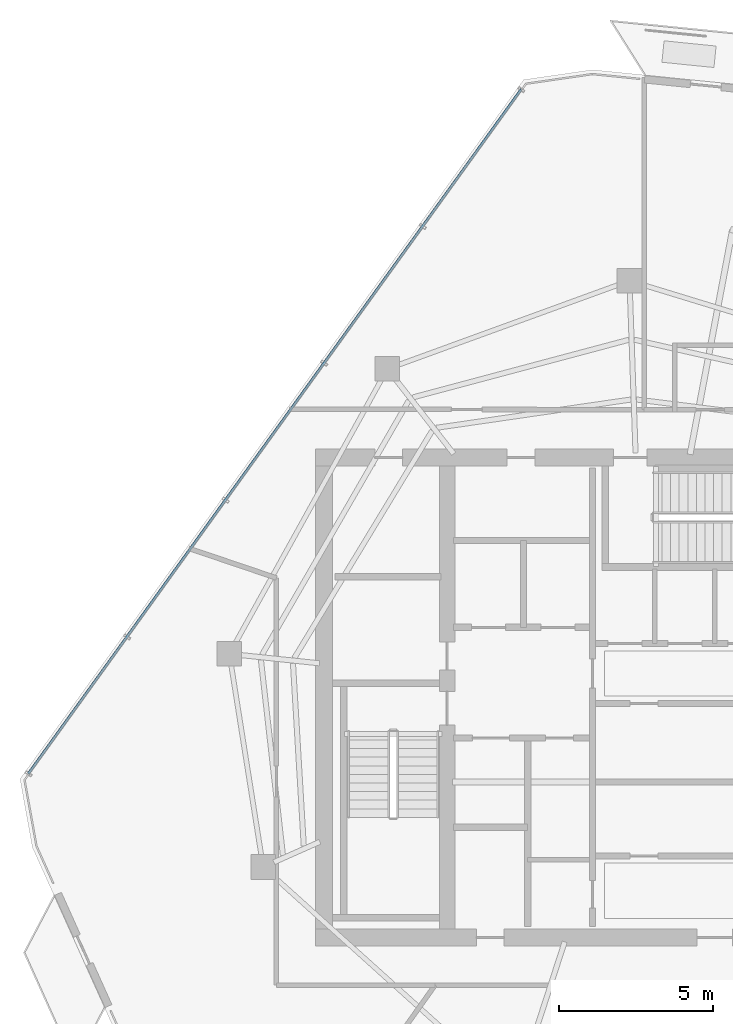
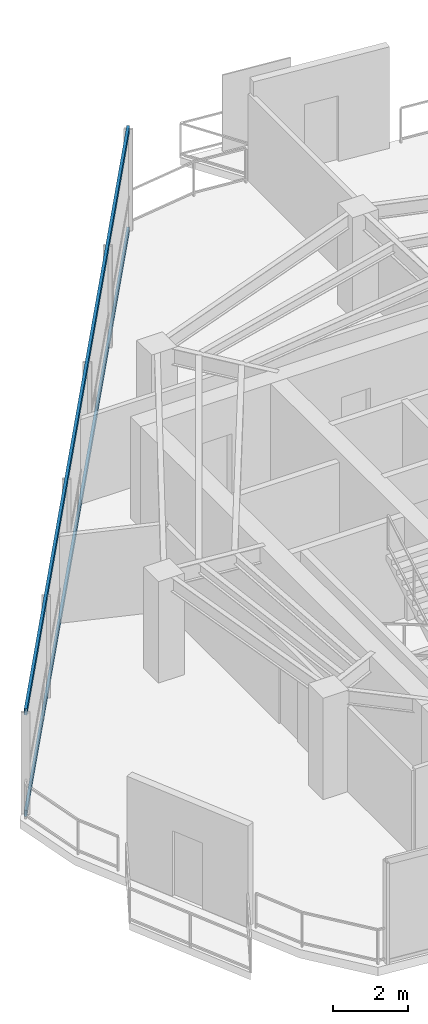
# One storey, part 7 of 18: 2 members, 1 element without a shape of its own.
"""IFC4 building model written with IfcOpenShell, lengths in metres."""

from ifc_helpers import new_model, si_unit, direction, frame, origin, origin_2d, place, context, subcontext, project, spatial, hollow_rectangle, extrude, material, layer, layer_set, material_profile, profile_set, type_object, element, aggregate, save


model = new_model("IFC4")

# Units and contexts
model_context = context("Model", 3, precision=1e-05, world=origin(), true_north=direction((0.0, 1.0)))
body_context = subcontext(model_context, "Body", "Model", "MODEL_VIEW")
ifc_project = project(units=[si_unit("LENGTHUNIT", "METRE"), si_unit("AREAUNIT", "SQUARE_METRE"), si_unit("VOLUMEUNIT", "CUBIC_METRE"), si_unit("PLANEANGLEUNIT", "RADIAN"), si_unit("MASSUNIT", "GRAM", prefix="KILO")], contexts=[model_context])

# Site, building, storey
site_placement = place(None, origin())
site = spatial("IfcSite", under=ifc_project, at=site_placement, CompositionType="ELEMENT")
building_placement = place(site_placement, origin())
building = spatial("IfcBuilding", under=site, at=building_placement, Name="Qarnah Convention Tower", CompositionType="ELEMENT")
storey_placement = place(building_placement, frame((0.0, 0.0, 271.5)))
storey = spatial("IfcBuildingStorey", under=building, at=storey_placement, Name="L73", CompositionType="ELEMENT", Elevation=271.5)

# Curtain wall, members
ifc_material_1 = material(Name="Tempered Low-E dark glass", Category="glass")
ifc_layer = layer(ifc_material_1, 0.176025390625)
ifc_layer_set = layer_set([ifc_layer], Name="Tempered Low-E dark glass")
curtain_wall_type = type_object("IfcCurtainWallType", Name="CWS-05", PredefinedType="NOTDEFINED", material=ifc_layer_set)
curtain_wall_placement = place(storey_placement, origin())
curtain_wall = element("IfcCurtainWall", 1, at=curtain_wall_placement, inside=storey, type_object=curtain_wall_type, Name="L73 unitised curtain wall CW-L73-F1", PredefinedType="NOTDEFINED")
ifc_material_2 = material(Name="Black anodised aluminium", Category="aluminium")
ifc_material_profile = material_profile(ifc_material_2, hollow_rectangle(XDim=0.080078125, YDim=0.2099609375, WallThickness=0.0048828125, at=origin_2d()), Name="TRN-80X210")
ifc_profile_set = profile_set([ifc_material_profile], Name="Black anodised aluminium")
member_type = type_object("IfcMemberType", Name="TRN-T5", PredefinedType="USERDEFINED", material=ifc_profile_set)
member_1_placement = place(storey_placement, frame((17.19189453125, 23.923095703125, 0.0), z_axis=(0.58439906687, 0.811466407587, 0.0), x_axis=(-0.811466407587, 0.58439906687, 0.0)))
member_1 = element("IfcMember", 2, at=member_1_placement, type_object=member_type, Name="CW-L73-F1 transom 1", ObjectType="TRANSOM", PredefinedType="USERDEFINED", context=body_context, shape_type="SweptSolid", body=[
    extrude(hollow_rectangle(XDim=0.080078125, YDim=0.2099609375, WallThickness=0.0048828125, at=origin_2d()), origin(), (0.0, 0.0, 1.0), 27.404541015625),
])
member_2_placement = place(storey_placement, frame((17.19189453125, 23.923095703125, 3.320068359375), z_axis=(0.58439906687, 0.811466407587, 0.0), x_axis=(-0.811466407587, 0.58439906687, 0.0)))
member_2 = element("IfcMember", 3, at=member_2_placement, type_object=member_type, Name="CW-L73-F1 transom 2", ObjectType="TRANSOM", PredefinedType="USERDEFINED", context=body_context, shape_type="SweptSolid", body=[
    extrude(hollow_rectangle(XDim=0.080078125, YDim=0.2099609375, WallThickness=0.0048828125, at=origin_2d()), origin(), (0.0, 0.0, 1.0), 27.404541015625),
])
aggregate(curtain_wall, [member_1, member_2])

save(model, "model.ifc")
